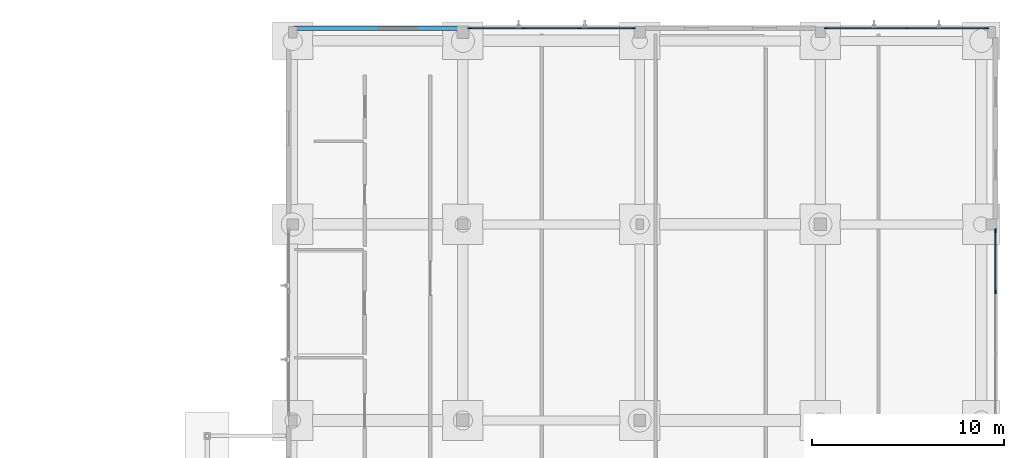
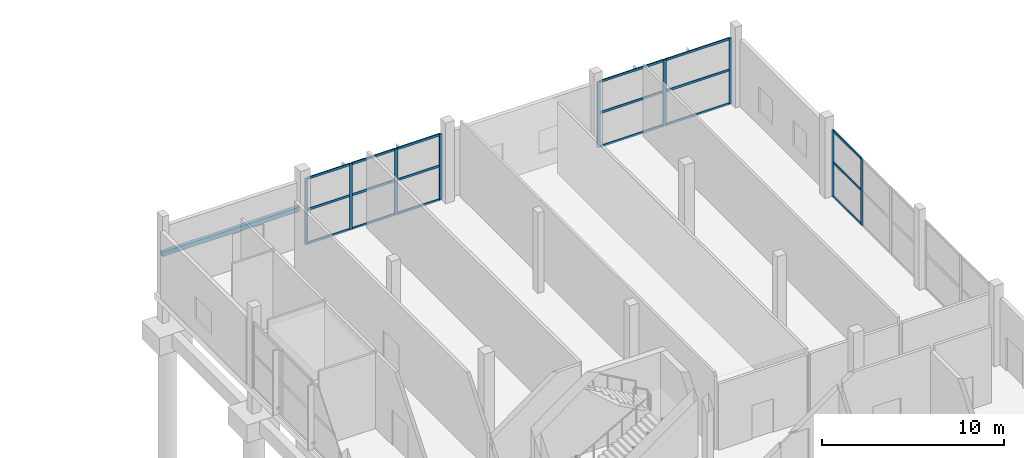
# One storey, part 47 of 88: 27 members, 1 beam, 3 elements without a shape of their own.
"""IFC4 building model written with IfcOpenShell, lengths in metres."""

import ifcopenshell
import ifcopenshell.guid

model = None  # the IFC model being written
_history = None  # IfcOwnerHistory: only IFC2X3 demands one
_inside = {}  # id of a spatial element -> (the spatial element, [elements in it])
_under = {}  # id of a project, library or spatial element -> (it, [spatial elements below it])
_declared = {}  # id of a project -> (the project, [libraries it declares])
_typed = {}  # id of a type object -> (the type object, [elements of that type])
_made_of = {}  # id of a material, layer set ... -> (it, [elements and type objects made of it])


def new_model(schema):
    """Start an empty IFC model of exactly this schema.

    Asked for "IFC4X3", IfcOpenShell would pick the latest addendum, in which some entities
    have other attributes; the version numbers below select the first issue.
    IFC2X3 requires an IfcOwnerHistory on every rooted entity: one is made here for all.
    """
    global model, _history
    if schema == "IFC4X3":
        model = ifcopenshell.file(schema_version=(4, 3, 0, 0))
    else:
        model = ifcopenshell.file(schema=schema)
    _inside.clear()
    _under.clear()
    _declared.clear()
    _typed.clear()
    _made_of.clear()
    _history = None
    if model.schema == "IFC2X3":
        org = make("IfcOrganization", Name="unknown")
        user = make(
            "IfcPersonAndOrganization",
            ThePerson=make("IfcPerson", FamilyName="unknown"),
            TheOrganization=org,
        )
        app = make(
            "IfcApplication",
            ApplicationDeveloper=org,
            Version="unknown",
            ApplicationFullName="unknown",
            ApplicationIdentifier="unknown",
        )
        _history = make(
            "IfcOwnerHistory",
            OwningUser=user,
            OwningApplication=app,
            ChangeAction="ADDED",
            CreationDate=0,
        )
    return model


def make(cls, **values):
    """One entity of the class cls with the attributes given. An attribute that is None is left unset."""
    return model.create_entity(
        cls, **{name: value for name, value in values.items() if value is not None}
    )


def rooted(cls, **values):
    """An entity with a GlobalId (a new one), such as an element, a storey or a relation."""
    return make(cls, GlobalId=ifcopenshell.guid.new(), OwnerHistory=_history, **values)


def si_unit(unit_type, name, prefix=None):
    """IfcSIUnit, for example si_unit("LENGTHUNIT", "METRE", prefix="MILLI")."""
    return make("IfcSIUnit", UnitType=unit_type, Prefix=prefix, Name=name)


def assignment(units):
    """IfcUnitAssignment: the units of a project."""
    return None if units is None else make("IfcUnitAssignment", Units=units)


def point(xyz):
    """IfcCartesianPoint."""
    return None if xyz is None else make("IfcCartesianPoint", Coordinates=xyz)


def direction(xyz):
    """IfcDirection."""
    return None if xyz is None else make("IfcDirection", DirectionRatios=xyz)


def frame(location, z_axis=None, x_axis=None):
    """IfcAxis2Placement3D, a coordinate frame: its origin and axes. An axis left out is left unset."""
    return make(
        "IfcAxis2Placement3D",
        Location=point(location),
        Axis=direction(z_axis),
        RefDirection=direction(x_axis),
    )


def frame_2d(location, x_axis=None):
    """IfcAxis2Placement2D, a coordinate frame in the plane: its origin and x axis."""
    return make(
        "IfcAxis2Placement2D", Location=point(location), RefDirection=direction(x_axis)
    )


def origin():
    """The frame at (0, 0, 0) with its axes left unset."""
    return frame((0.0, 0.0, 0.0))


def origin_2d():
    """The frame at (0, 0) in the plane with its x axis left unset."""
    return frame_2d((0.0, 0.0))


def place(relative_to, where):
    """IfcLocalPlacement: puts the frame where relative to a parent placement (None: the world)."""
    return make(
        "IfcLocalPlacement", PlacementRelTo=relative_to, RelativePlacement=where
    )


def context(
    kind, dimensions, precision=None, world=None, true_north=None, identifier=None
):
    """IfcGeometricRepresentationContext, for example the 3D "Model" context."""
    return make(
        "IfcGeometricRepresentationContext",
        ContextIdentifier=identifier,
        ContextType=kind,
        CoordinateSpaceDimension=dimensions,
        Precision=precision,
        WorldCoordinateSystem=world,
        TrueNorth=true_north,
    )


def subcontext(parent, identifier, kind, view, scale=None):
    """IfcGeometricRepresentationSubContext, for example "Body" below "Model"."""
    return make(
        "IfcGeometricRepresentationSubContext",
        ContextIdentifier=identifier,
        ContextType=kind,
        ParentContext=parent,
        TargetScale=scale,
        TargetView=view,
    )


def project(units=None, contexts=None):
    """IfcProject with its units and contexts."""
    return rooted(
        "IfcProject",
        Name="project",
        RepresentationContexts=contexts,
        UnitsInContext=assignment(units),
    )


def spatial(cls, under=None, at=None, **own):
    """A site, building, storey or space (cls), placed at a placement, below another one or the project."""
    s = rooted(cls, ObjectPlacement=at, **own)
    if under is not None:
        _under.setdefault(under.id(), (under, []))[1].append(s)
    return s


def profile(cls, at=None, kind="AREA", **sizes):
    """A parametric profile (cls). Its sizes go by their IFC names, for example OverallWidth=200.0."""
    return make(cls, ProfileType=kind, Position=at, **sizes)


def rectangle(**sizes):
    """IfcRectangleProfileDef."""
    return profile("IfcRectangleProfileDef", **sizes)


def extrude(swept, where, along, depth):
    """IfcExtrudedAreaSolid: the profile swept, set in the frame where, extruded along a direction by depth."""
    return make(
        "IfcExtrudedAreaSolid",
        SweptArea=swept,
        Position=where,
        ExtrudedDirection=direction(along),
        Depth=depth,
    )


def shape(context_of_items, identifier, shape_type, items):
    """IfcShapeRepresentation: the items that make up one representation, for example the "Body"."""
    return make(
        "IfcShapeRepresentation",
        ContextOfItems=context_of_items,
        RepresentationIdentifier=identifier,
        RepresentationType=shape_type,
        Items=items,
    )


def material(Name=None, Category=None):
    """IfcMaterial."""
    return make("IfcMaterial", Name=Name, Category=Category)


def layer(
    of_material, thickness, ventilated=None, Name=None, Category=None, Priority=None
):
    """IfcMaterialLayer: one layer of a wall or slab, of a material (None: an air gap)."""
    return make(
        "IfcMaterialLayer",
        Material=of_material,
        LayerThickness=thickness,
        IsVentilated=ventilated,
        Name=Name,
        Category=Category,
        Priority=Priority,
    )


def layer_set(layers, Name=None):
    """IfcMaterialLayerSet."""
    return make("IfcMaterialLayerSet", MaterialLayers=layers, LayerSetName=Name)


def material_profile(
    of_material, cross_section, Name=None, Category=None, Priority=None
):
    """IfcMaterialProfile: a cross section and its material."""
    return make(
        "IfcMaterialProfile",
        Name=Name,
        Material=of_material,
        Profile=cross_section,
        Priority=Priority,
        Category=Category,
    )


def profile_set(profiles, Name=None, composite=None):
    """IfcMaterialProfileSet."""
    return make(
        "IfcMaterialProfileSet",
        Name=Name,
        MaterialProfiles=profiles,
        CompositeProfile=composite,
    )


def made_of(thing, what):
    """Note that an element or type object is made of a material, layer set ...; save() writes the relation."""
    if what is not None:
        _made_of.setdefault(what.id(), (what, []))[1].append(thing)
    return thing


def type_object(cls, material=None, **own):
    """A type object (cls), such as IfcWallType, which elements share."""
    return made_of(rooted(cls, **own), material)


def element(
    cls,
    number,
    at=None,
    inside=None,
    cuts=None,
    type_object=None,
    material=None,
    context=None,
    identifier="Body",
    shape_type=None,
    held_by="IfcProductDefinitionShape",
    body=None,
    shapes=None,
    **own,
):
    """One element of the class cls, such as IfcWall. Its Tag is "e" and its number.

    at: its placement. inside: the storey or other place that contains it. cuts: it is an
    opening in that element (IfcRelVoidsElement). A single representation is given by context,
    identifier, shape_type and body (its items); several are given by shapes. held_by: the class
    of the entity that holds the representations. save() writes the other relations.
    """
    e = rooted(cls, Tag="e%d" % number, ObjectPlacement=at, **own)
    if body is not None:
        shapes = [shape(context, identifier, shape_type, body)]
    if shapes is not None:
        e.Representation = make(held_by, Representations=shapes)
    if inside is not None:
        _inside.setdefault(inside.id(), (inside, []))[1].append(e)
    if cuts is not None:
        rooted(
            "IfcRelVoidsElement", RelatingBuildingElement=cuts, RelatedOpeningElement=e
        )
    if type_object is not None:
        _typed.setdefault(type_object.id(), (type_object, []))[1].append(e)
    return made_of(e, material)


def aggregate(whole, parts):
    """IfcRelAggregates: a whole, such as a stair, and the parts it consists of."""
    return rooted("IfcRelAggregates", RelatingObject=whole, RelatedObjects=parts)


def save(model, path):
    """Write the relations noted so far, then the file.

    IfcRelAggregates (storeys below a building ...), IfcRelContainedInSpatialStructure (elements
    in a storey), IfcRelDefinesByType, IfcRelAssociatesMaterial and IfcRelDeclares: one each for
    every whole, place, type object, material and project.
    """
    for whole, parts in _under.values():
        aggregate(whole, parts)
    for where, things in _inside.values():
        rooted(
            "IfcRelContainedInSpatialStructure",
            RelatedElements=things,
            RelatingStructure=where,
        )
    for kind, things in _typed.values():
        rooted("IfcRelDefinesByType", RelatedObjects=things, RelatingType=kind)
    for what, things in _made_of.values():
        rooted("IfcRelAssociatesMaterial", RelatedObjects=things, RelatingMaterial=what)
    for by, libraries in _declared.values():
        rooted("IfcRelDeclares", RelatingContext=by, RelatedDefinitions=libraries)
    model.write(path)


model = new_model("IFC4")

# Units and contexts
model_context = context("Model", 3, precision=1e-05, world=origin(), true_north=direction((0.0, 1.0)))
body_context = subcontext(model_context, "Body", "Model", "MODEL_VIEW")
ifc_project = project(units=[si_unit("LENGTHUNIT", "METRE"), si_unit("AREAUNIT", "SQUARE_METRE"), si_unit("VOLUMEUNIT", "CUBIC_METRE"), si_unit("PLANEANGLEUNIT", "RADIAN"), si_unit("MASSUNIT", "GRAM", prefix="KILO")], contexts=[model_context])

# Site, building, storey
site_placement = place(None, origin())
site = spatial("IfcSite", under=ifc_project, at=site_placement, CompositionType="ELEMENT")
building_placement = place(site_placement, origin())
building = spatial("IfcBuilding", under=site, at=building_placement, Name="Birchvale Park Specialist Clinic", CompositionType="ELEMENT")
storey_placement = place(building_placement, origin())
storey = spatial("IfcBuildingStorey", under=building, at=storey_placement, Name="L00", CompositionType="ELEMENT", Elevation=0.0)

# Curtain wall, members
ifc_material_1 = material(Name="Thermally broken anodised aluminium", Category="aluminium")
ifc_layer = layer(ifc_material_1, 0.2099609375)
ifc_layer_set = layer_set([ifc_layer], Name="Thermally broken anodised aluminium")
curtain_wall_type = type_object("IfcCurtainWallType", Name="CW-U3", PredefinedType="USERDEFINED", material=ifc_layer_set)
curtain_wall_1_placement = place(storey_placement, origin())
curtain_wall_1 = element("IfcCurtainWall", 1, at=curtain_wall_1_placement, inside=storey, type_object=curtain_wall_type, Name="V6 L00 glazed curtain wall 63", ObjectType="UNITISED", PredefinedType="USERDEFINED")
ifc_material_profile_1 = material_profile(ifc_material_1, rectangle(XDim=0.070068359375, YDim=0.199951171875, at=origin_2d()), Name="CWM-70x200")
ifc_profile_set_1 = profile_set([ifc_material_profile_1], Name="Thermally broken anodised aluminium")
member_type_1 = type_object("IfcMemberType", Name="CWM3", PredefinedType="MULLION", material=ifc_profile_set_1)
member_1_placement = place(storey_placement, frame((164.905029296875, 97.9033203125, 0.0), z_axis=(0.0, 0.0, 1.0), x_axis=(-1.0, 0.0, 0.0)))
member_1 = element("IfcMember", 2, at=member_1_placement, type_object=member_type_1, Name="CW mullion 3", PredefinedType="MULLION", context=body_context, shape_type="SweptSolid", body=[
    extrude(rectangle(XDim=0.070068359375, YDim=0.199951171875, at=origin_2d()), origin(), (0.0, 0.0, 1.0), 4.469970703125),
])
member_2_placement = place(storey_placement, frame((164.905029296875, 101.074951171875, 0.0), z_axis=(0.0, 0.0, 1.0), x_axis=(-1.0, 0.0, 0.0)))
member_2 = element("IfcMember", 3, at=member_2_placement, type_object=member_type_1, Name="CW mullion 4", PredefinedType="MULLION", context=body_context, shape_type="SweptSolid", body=[
    extrude(rectangle(XDim=0.070068359375, YDim=0.199951171875, at=origin_2d()), origin(), (0.0, 0.0, 1.0), 4.469970703125),
])

curtain_wall_2_placement = place(storey_placement, origin())
curtain_wall_2 = element("IfcCurtainWall", 4, at=curtain_wall_2_placement, inside=storey, type_object=curtain_wall_type, Name="V6 L00 glazed curtain wall 64", ObjectType="UNITISED", PredefinedType="USERDEFINED")
member_3_placement = place(storey_placement, frame((164.455078125, 111.60498046875, 0.0), z_axis=(0.0, 0.0, 1.0), x_axis=(0.0, -1.0, 0.0)))
member_3 = element("IfcMember", 5, at=member_3_placement, type_object=member_type_1, Name="CW mullion 1", PredefinedType="MULLION", context=body_context, shape_type="SweptSolid", body=[
    extrude(rectangle(XDim=0.070068359375, YDim=0.199951171875, at=origin_2d()), origin(), (0.0, 0.0, 1.0), 4.419921875),
])
member_4_placement = place(storey_placement, frame((160.277587890625, 111.60498046875, 0.0), z_axis=(0.0, 0.0, 1.0), x_axis=(0.0, -1.0, 0.0)))
member_4 = element("IfcMember", 6, at=member_4_placement, type_object=member_type_1, Name="CW mullion 2", PredefinedType="MULLION", context=body_context, shape_type="SweptSolid", body=[
    extrude(rectangle(XDim=0.070068359375, YDim=0.199951171875, at=origin_2d()), origin(), (0.0, 0.0, 1.0), 4.419921875),
])
member_5_placement = place(storey_placement, frame((156.10009765625, 111.60498046875, 0.0), z_axis=(0.0, 0.0, 1.0), x_axis=(0.0, -1.0, 0.0)))
member_5 = element("IfcMember", 7, at=member_5_placement, type_object=member_type_1, Name="CW mullion 3", PredefinedType="MULLION", context=body_context, shape_type="SweptSolid", body=[
    extrude(rectangle(XDim=0.070068359375, YDim=0.199951171875, at=origin_2d()), origin(), (0.0, 0.0, 1.0), 4.419921875),
])

curtain_wall_3_placement = place(storey_placement, origin())
curtain_wall_3 = element("IfcCurtainWall", 8, at=curtain_wall_3_placement, inside=storey, type_object=curtain_wall_type, Name="V6 L00 glazed curtain wall 65", ObjectType="UNITISED", PredefinedType="USERDEFINED")
member_6_placement = place(storey_placement, frame((146.074951171875, 111.60498046875, 0.0), z_axis=(0.0, 0.0, 1.0), x_axis=(0.0, -1.0, 0.0)))
member_6 = element("IfcMember", 9, at=member_6_placement, type_object=member_type_1, Name="CW mullion 1", PredefinedType="MULLION", context=body_context, shape_type="SweptSolid", body=[
    extrude(rectangle(XDim=0.070068359375, YDim=0.199951171875, at=origin_2d()), origin(), (0.0, 0.0, 1.0), 4.419921875),
])
member_7_placement = place(storey_placement, frame((143.2451171875, 111.60498046875, 0.0), z_axis=(0.0, 0.0, 1.0), x_axis=(0.0, -1.0, 0.0)))
member_7 = element("IfcMember", 10, at=member_7_placement, type_object=member_type_1, Name="CW mullion 2", PredefinedType="MULLION", context=body_context, shape_type="SweptSolid", body=[
    extrude(rectangle(XDim=0.070068359375, YDim=0.199951171875, at=origin_2d()), origin(), (0.0, 0.0, 1.0), 4.419921875),
])
member_8_placement = place(storey_placement, frame((140.3798828125, 111.60498046875, 0.0), z_axis=(0.0, 0.0, 1.0), x_axis=(0.0, -1.0, 0.0)))
member_8 = element("IfcMember", 11, at=member_8_placement, type_object=member_type_1, Name="CW mullion 3", PredefinedType="MULLION", context=body_context, shape_type="SweptSolid", body=[
    extrude(rectangle(XDim=0.070068359375, YDim=0.199951171875, at=origin_2d()), origin(), (0.0, 0.0, 1.0), 4.419921875),
])
member_9_placement = place(storey_placement, frame((137.550048828125, 111.60498046875, 0.0), z_axis=(0.0, 0.0, 1.0), x_axis=(0.0, -1.0, 0.0)))
member_9 = element("IfcMember", 12, at=member_9_placement, type_object=member_type_1, Name="CW mullion 4", PredefinedType="MULLION", context=body_context, shape_type="SweptSolid", body=[
    extrude(rectangle(XDim=0.070068359375, YDim=0.199951171875, at=origin_2d()), origin(), (0.0, 0.0, 1.0), 4.419921875),
])

# Member
ifc_material_profile_2 = material_profile(ifc_material_1, rectangle(XDim=0.070068359375, YDim=0.14990234375, at=origin_2d()), Name="CWT-70x150")
ifc_profile_set_2 = profile_set([ifc_material_profile_2], Name="Thermally broken anodised aluminium")
member_type_2 = type_object("IfcMemberType", Name="CWT3", PredefinedType="USERDEFINED", material=ifc_profile_set_2)
member_10_placement = place(storey_placement, frame((164.905029296875, 97.938232421875, 0.034912109375), z_axis=(0.0, 1.0, 0.0), x_axis=(-1.0, 0.0, 0.0)))
member_10 = element("IfcMember", 13, at=member_10_placement, type_object=member_type_2, Name="CW transom 3.1", ObjectType="TRANSOM", PredefinedType="USERDEFINED", context=body_context, shape_type="SweptSolid", body=[
    extrude(rectangle(XDim=0.070068359375, YDim=0.14990234375, at=origin_2d()), origin(), (0.0, 0.0, 1.0), 3.101806640625),
])

member_11_placement = place(storey_placement, frame((164.905029296875, 97.938232421875, 2.324462890625), z_axis=(0.0, 1.0, 0.0), x_axis=(-1.0, 0.0, 0.0)))
member_11 = element("IfcMember", 14, at=member_11_placement, type_object=member_type_2, Name="CW transom 3.2", ObjectType="TRANSOM", PredefinedType="USERDEFINED", context=body_context, shape_type="SweptSolid", body=[
    extrude(rectangle(XDim=0.070068359375, YDim=0.14990234375, at=origin_2d()), origin(), (0.0, 0.0, 1.0), 3.101806640625),
])

member_12_placement = place(storey_placement, frame((164.905029296875, 97.938232421875, 4.43505859375), z_axis=(0.0, 1.0, 0.0), x_axis=(-1.0, 0.0, 0.0)))
member_12 = element("IfcMember", 15, at=member_12_placement, type_object=member_type_2, Name="CW transom 3.3", ObjectType="TRANSOM", PredefinedType="USERDEFINED", context=body_context, shape_type="SweptSolid", body=[
    extrude(rectangle(XDim=0.070068359375, YDim=0.14990234375, at=origin_2d()), origin(), (0.0, 0.0, 1.0), 3.101806640625),
])

aggregate(curtain_wall_1, [member_1, member_2, member_10, member_11, member_12])

member_13_placement = place(storey_placement, frame((164.419921875, 111.60498046875, 0.034912109375), z_axis=(-1.0, 0.0, 0.0), x_axis=(0.0, -1.0, 0.0)))
member_13 = element("IfcMember", 16, at=member_13_placement, type_object=member_type_2, Name="CW transom 1.1", ObjectType="TRANSOM", PredefinedType="USERDEFINED", context=body_context, shape_type="SweptSolid", body=[
    extrude(rectangle(XDim=0.070068359375, YDim=0.14990234375, at=origin_2d()), origin(), (0.0, 0.0, 1.0), 4.107421875),
])

member_14_placement = place(storey_placement, frame((164.419921875, 111.60498046875, 2.29833984375), z_axis=(-1.0, 0.0, 0.0), x_axis=(0.0, -1.0, 0.0)))
member_14 = element("IfcMember", 17, at=member_14_placement, type_object=member_type_2, Name="CW transom 1.2", ObjectType="TRANSOM", PredefinedType="USERDEFINED", context=body_context, shape_type="SweptSolid", body=[
    extrude(rectangle(XDim=0.070068359375, YDim=0.14990234375, at=origin_2d()), origin(), (0.0, 0.0, 1.0), 4.107421875),
])

member_15_placement = place(storey_placement, frame((164.419921875, 111.60498046875, 4.385009765625), z_axis=(-1.0, 0.0, 0.0), x_axis=(0.0, -1.0, 0.0)))
member_15 = element("IfcMember", 18, at=member_15_placement, type_object=member_type_2, Name="CW transom 1.3", ObjectType="TRANSOM", PredefinedType="USERDEFINED", context=body_context, shape_type="SweptSolid", body=[
    extrude(rectangle(XDim=0.070068359375, YDim=0.14990234375, at=origin_2d()), origin(), (0.0, 0.0, 1.0), 4.107421875),
])

member_16_placement = place(storey_placement, frame((160.242431640625, 111.60498046875, 0.034912109375), z_axis=(-1.0, 0.0, 0.0), x_axis=(0.0, -1.0, 0.0)))
member_16 = element("IfcMember", 19, at=member_16_placement, type_object=member_type_2, Name="CW transom 2.1", ObjectType="TRANSOM", PredefinedType="USERDEFINED", context=body_context, shape_type="SweptSolid", body=[
    extrude(rectangle(XDim=0.070068359375, YDim=0.14990234375, at=origin_2d()), origin(), (0.0, 0.0, 1.0), 4.107421875),
])

member_17_placement = place(storey_placement, frame((160.242431640625, 111.60498046875, 2.29833984375), z_axis=(-1.0, 0.0, 0.0), x_axis=(0.0, -1.0, 0.0)))
member_17 = element("IfcMember", 20, at=member_17_placement, type_object=member_type_2, Name="CW transom 2.2", ObjectType="TRANSOM", PredefinedType="USERDEFINED", context=body_context, shape_type="SweptSolid", body=[
    extrude(rectangle(XDim=0.070068359375, YDim=0.14990234375, at=origin_2d()), origin(), (0.0, 0.0, 1.0), 4.107421875),
])

member_18_placement = place(storey_placement, frame((160.242431640625, 111.60498046875, 4.385009765625), z_axis=(-1.0, 0.0, 0.0), x_axis=(0.0, -1.0, 0.0)))
member_18 = element("IfcMember", 21, at=member_18_placement, type_object=member_type_2, Name="CW transom 2.3", ObjectType="TRANSOM", PredefinedType="USERDEFINED", context=body_context, shape_type="SweptSolid", body=[
    extrude(rectangle(XDim=0.070068359375, YDim=0.14990234375, at=origin_2d()), origin(), (0.0, 0.0, 1.0), 4.107421875),
])

aggregate(curtain_wall_2, [member_3, member_4, member_5, member_13, member_14, member_15, member_16, member_17, member_18])

member_19_placement = place(storey_placement, frame((146.0400390625, 111.60498046875, 0.034912109375), z_axis=(-1.0, 0.0, 0.0), x_axis=(0.0, -1.0, 0.0)))
member_19 = element("IfcMember", 22, at=member_19_placement, type_object=member_type_2, Name="CW transom 1.1", ObjectType="TRANSOM", PredefinedType="USERDEFINED", context=body_context, shape_type="SweptSolid", body=[
    extrude(rectangle(XDim=0.070068359375, YDim=0.14990234375, at=origin_2d()), origin(), (0.0, 0.0, 1.0), 2.760009765625),
])

member_20_placement = place(storey_placement, frame((146.0400390625, 111.60498046875, 2.29833984375), z_axis=(-1.0, 0.0, 0.0), x_axis=(0.0, -1.0, 0.0)))
member_20 = element("IfcMember", 23, at=member_20_placement, type_object=member_type_2, Name="CW transom 1.2", ObjectType="TRANSOM", PredefinedType="USERDEFINED", context=body_context, shape_type="SweptSolid", body=[
    extrude(rectangle(XDim=0.070068359375, YDim=0.14990234375, at=origin_2d()), origin(), (0.0, 0.0, 1.0), 2.760009765625),
])

member_21_placement = place(storey_placement, frame((146.0400390625, 111.60498046875, 4.385009765625), z_axis=(-1.0, 0.0, 0.0), x_axis=(0.0, -1.0, 0.0)))
member_21 = element("IfcMember", 24, at=member_21_placement, type_object=member_type_2, Name="CW transom 1.3", ObjectType="TRANSOM", PredefinedType="USERDEFINED", context=body_context, shape_type="SweptSolid", body=[
    extrude(rectangle(XDim=0.070068359375, YDim=0.14990234375, at=origin_2d()), origin(), (0.0, 0.0, 1.0), 2.760009765625),
])

member_22_placement = place(storey_placement, frame((143.2099609375, 111.60498046875, 0.034912109375), z_axis=(-1.0, 0.0, 0.0), x_axis=(0.0, -1.0, 0.0)))
member_22 = element("IfcMember", 25, at=member_22_placement, type_object=member_type_2, Name="CW transom 2.1", ObjectType="TRANSOM", PredefinedType="USERDEFINED", context=body_context, shape_type="SweptSolid", body=[
    extrude(rectangle(XDim=0.070068359375, YDim=0.14990234375, at=origin_2d()), origin(), (0.0, 0.0, 1.0), 2.794921875),
])

member_23_placement = place(storey_placement, frame((143.2099609375, 111.60498046875, 2.29833984375), z_axis=(-1.0, 0.0, 0.0), x_axis=(0.0, -1.0, 0.0)))
member_23 = element("IfcMember", 26, at=member_23_placement, type_object=member_type_2, Name="CW transom 2.2", ObjectType="TRANSOM", PredefinedType="USERDEFINED", context=body_context, shape_type="SweptSolid", body=[
    extrude(rectangle(XDim=0.070068359375, YDim=0.14990234375, at=origin_2d()), origin(), (0.0, 0.0, 1.0), 2.794921875),
])

member_24_placement = place(storey_placement, frame((143.2099609375, 111.60498046875, 4.385009765625), z_axis=(-1.0, 0.0, 0.0), x_axis=(0.0, -1.0, 0.0)))
member_24 = element("IfcMember", 27, at=member_24_placement, type_object=member_type_2, Name="CW transom 2.3", ObjectType="TRANSOM", PredefinedType="USERDEFINED", context=body_context, shape_type="SweptSolid", body=[
    extrude(rectangle(XDim=0.070068359375, YDim=0.14990234375, at=origin_2d()), origin(), (0.0, 0.0, 1.0), 2.794921875),
])

member_25_placement = place(storey_placement, frame((140.344970703125, 111.60498046875, 0.034912109375), z_axis=(-1.0, 0.0, 0.0), x_axis=(0.0, -1.0, 0.0)))
member_25 = element("IfcMember", 28, at=member_25_placement, type_object=member_type_2, Name="CW transom 3.1", ObjectType="TRANSOM", PredefinedType="USERDEFINED", context=body_context, shape_type="SweptSolid", body=[
    extrude(rectangle(XDim=0.070068359375, YDim=0.14990234375, at=origin_2d()), origin(), (0.0, 0.0, 1.0), 2.760009765625),
])

member_26_placement = place(storey_placement, frame((140.344970703125, 111.60498046875, 2.29833984375), z_axis=(-1.0, 0.0, 0.0), x_axis=(0.0, -1.0, 0.0)))
member_26 = element("IfcMember", 29, at=member_26_placement, type_object=member_type_2, Name="CW transom 3.2", ObjectType="TRANSOM", PredefinedType="USERDEFINED", context=body_context, shape_type="SweptSolid", body=[
    extrude(rectangle(XDim=0.070068359375, YDim=0.14990234375, at=origin_2d()), origin(), (0.0, 0.0, 1.0), 2.760009765625),
])

member_27_placement = place(storey_placement, frame((140.344970703125, 111.60498046875, 4.385009765625), z_axis=(-1.0, 0.0, 0.0), x_axis=(0.0, -1.0, 0.0)))
member_27 = element("IfcMember", 30, at=member_27_placement, type_object=member_type_2, Name="CW transom 3.3", ObjectType="TRANSOM", PredefinedType="USERDEFINED", context=body_context, shape_type="SweptSolid", body=[
    extrude(rectangle(XDim=0.070068359375, YDim=0.14990234375, at=origin_2d()), origin(), (0.0, 0.0, 1.0), 2.760009765625),
])

aggregate(curtain_wall_3, [member_6, member_7, member_8, member_9, member_19, member_20, member_21, member_22, member_23, member_24, member_25, member_26, member_27])

# Beam
ifc_material_2 = material(Name="Concrete C40/50", Category="concrete")
ifc_material_profile_3 = material_profile(ifc_material_2, rectangle(XDim=0.219970703125, YDim=0.300048828125, at=origin_2d()), Name="LNT-220x300")
ifc_profile_set_3 = profile_set([ifc_material_profile_3], Name="Concrete C40/50")
beam_type = type_object("IfcBeamType", Name="LNT-EXT-LN2", PredefinedType="LINTEL", material=ifc_profile_set_3)
beam_placement = place(storey_placement, frame((137.070068359375, 111.60498046875, 2.570068359375), z_axis=(-1.0, 0.0, 0.0), x_axis=(0.0, -1.0, 0.0)))
element("IfcBeam", 31, at=beam_placement, inside=storey, type_object=beam_type, Name="V6 L00 exit opening lintel 24", PredefinedType="LINTEL", context=body_context, shape_type="SweptSolid", body=[
    extrude(rectangle(XDim=0.219970703125, YDim=0.300048828125, at=origin_2d()), origin(), (0.0, 0.0, 1.0), 8.695068359375),
])

save(model, "model.ifc")
